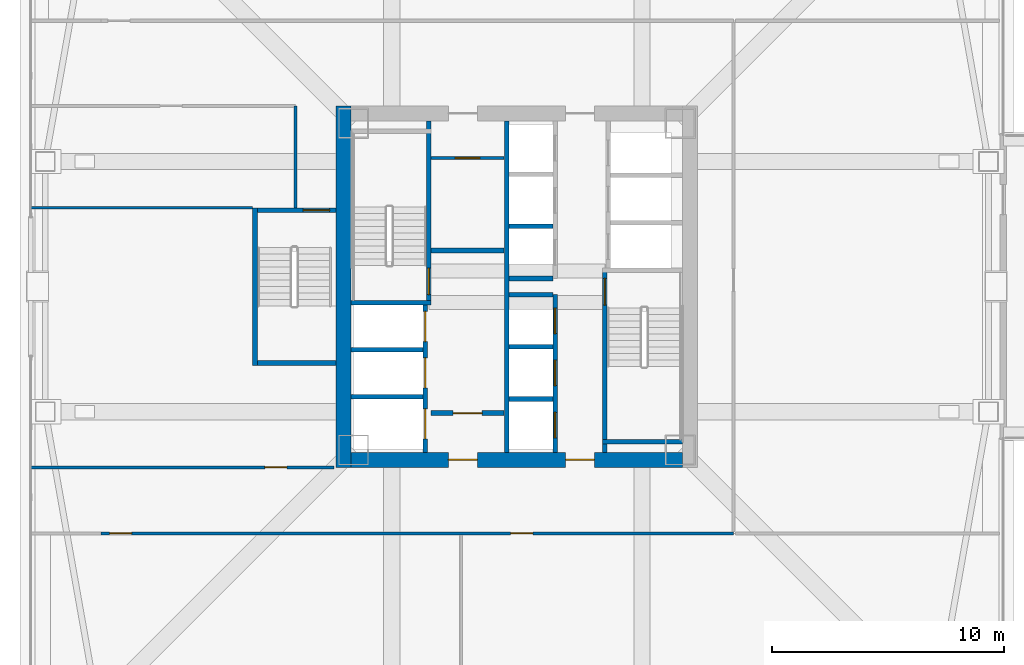
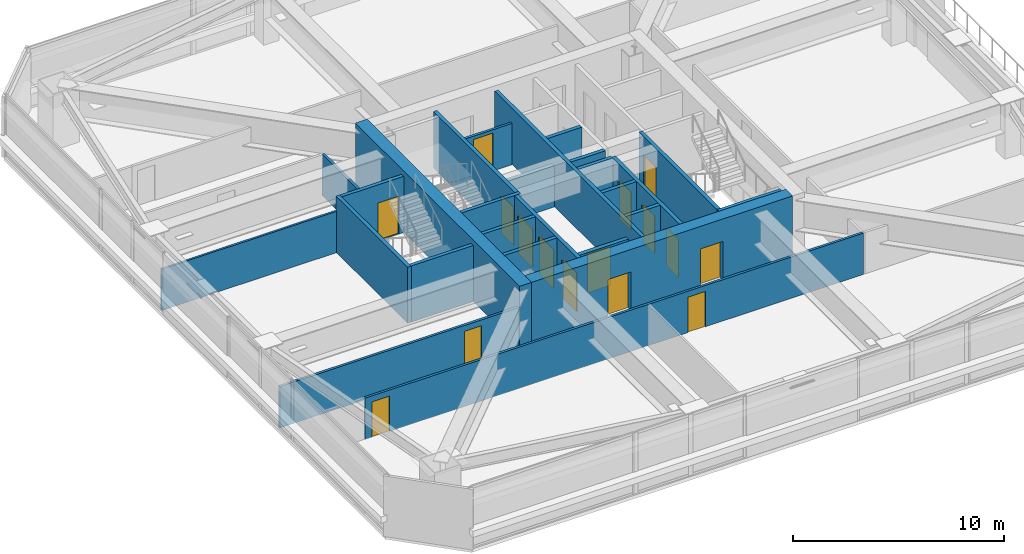
# One storey, part 38 of 49: 26 walls, 16 doors, 16 openings.
"""IFC4 building model written with IfcOpenShell, lengths in metres."""

from ifc_helpers import new_model, si_unit, direction, frame, frame_2d, origin, place, context, subcontext, project, spatial, rectangle, extrude, material, layer, layer_set, type_object, element, fill, save


model = new_model("IFC4")

# Units and contexts
model_context = context("Model", 3, precision=1e-05, world=origin(), true_north=direction((0.0, 1.0)))
body_context = subcontext(model_context, "Body", "Model", "MODEL_VIEW")
ifc_project = project(units=[si_unit("LENGTHUNIT", "METRE"), si_unit("AREAUNIT", "SQUARE_METRE"), si_unit("VOLUMEUNIT", "CUBIC_METRE"), si_unit("PLANEANGLEUNIT", "RADIAN"), si_unit("MASSUNIT", "GRAM", prefix="KILO")], contexts=[model_context])

# Site, building, storey
site_placement = place(None, origin())
site = spatial("IfcSite", under=ifc_project, at=site_placement, CompositionType="ELEMENT")
building_placement = place(site_placement, origin())
building = spatial("IfcBuilding", under=site, at=building_placement, Name="Tashvorn Skyway Center", CompositionType="ELEMENT")
storey_placement = place(building_placement, frame((0.0, 0.0, 106.25)))
storey = spatial("IfcBuildingStorey", under=building, at=storey_placement, Name="L28", CompositionType="ELEMENT", Elevation=106.25)

# Wall
ifc_material_1 = material(Name="Concrete C60/75", Category="concrete")
ifc_layer_1 = layer(ifc_material_1, 0.64990234375)
ifc_layer_set_1 = layer_set([ifc_layer_1], Name="Concrete C60/75")
wall_type_1 = type_object("IfcWallType", Name="WALL-CORE-650", PredefinedType="SHEAR", material=ifc_layer_set_1)
wall_1_placement = place(storey_placement, frame((34.52490234375, 24.199951171875, 0.0), z_axis=(0.0, 0.0, 1.0), x_axis=(0.0, 1.0, 0.0)))
element("IfcWall", 1, at=wall_1_placement, inside=storey, type_object=wall_type_1, Name="Tower 1 L28 West Core Shear Wall", PredefinedType="SHEAR", context=body_context, shape_type="SweptSolid", body=[
    extrude(rectangle(XDim=15.60009765625, YDim=0.64990234375, at=frame_2d((7.800048828125, 0.0))), origin(), (0.0, 0.0, 1.0), 3.550048828125),
])

# Wall, openings, doors
wall_2_placement = place(storey_placement, frame((49.14990234375, 24.52490234375, 0.0), z_axis=(0.0, 0.0, 1.0), x_axis=(-1.0, 0.0, 0.0)))
wall_2 = element("IfcWall", 2, at=wall_2_placement, inside=storey, type_object=wall_type_1, Name="Tower 1 L28 South Core Shear Wall", PredefinedType="SHEAR", context=body_context, shape_type="SweptSolid", body=[
    extrude(rectangle(XDim=14.2998046875, YDim=0.64990234375, at=frame_2d((7.14990234375, 0.0))), origin(), (0.0, 0.0, 1.0), 3.550048828125),
])
opening_1_placement = place(wall_2_placement, frame((8.85009765625, 0.0, 0.0)))
opening_1 = element("IfcOpeningElement", 3, at=opening_1_placement, cuts=wall_2, Name="Opening D-FFL-1250", PredefinedType="OPENING", context=body_context, shape_type="SweptSolid", body=[
    extrude(rectangle(XDim=1.25, YDim=2.25, at=frame_2d((0.625, 1.125))), frame((0.0, 0.3349609375, 0.0), z_axis=(0.0, -1.0, 0.0), x_axis=(1.0, 0.0, 0.0)), (0.0, 0.0, 1.0), 0.669921875),
])
opening_2_placement = place(wall_2_placement, frame((3.800048828125, 0.0, 0.0)))
opening_2 = element("IfcOpeningElement", 4, at=opening_2_placement, cuts=wall_2, Name="Opening D-FFL-1250", PredefinedType="OPENING", context=body_context, shape_type="SweptSolid", body=[
    extrude(rectangle(XDim=1.25, YDim=2.25, at=frame_2d((0.625, 1.125))), frame((0.0, 0.3349609375, 0.0), z_axis=(0.0, -1.0, 0.0), x_axis=(1.0, 0.0, 0.0)), (0.0, 0.0, 1.0), 0.669921875),
])
ifc_material_2 = material(Name="Hollow galvanized steel fire door assembly", Category="steel")
door_type_1 = type_object("IfcDoorType", Name="DOOR-FFL-1250", OperationType="NOTDEFINED", PredefinedType="DOOR", material=ifc_material_2)
door_1_placement = place(opening_1_placement, origin())
door_1 = element("IfcDoor", 5, at=door_1_placement, inside=storey, type_object=door_type_1, Name="Tower 1 L28 Core South Firefighting Exit Door", OperationType="SINGLE_SWING_LEFT", OverallHeight=2.25, OverallWidth=1.25, PredefinedType="DOOR", context=body_context, shape_type="SweptSolid", body=[
    extrude(rectangle(XDim=1.25, YDim=2.25, at=frame_2d((0.625, 1.125))), frame((0.0, 0.02490234375, 0.0), z_axis=(0.0, -1.0, 0.0), x_axis=(1.0, 0.0, 0.0)), (0.0, 0.0, 1.0), 0.050048828125),
])
fill(opening_1, door_1)
door_2_placement = place(opening_2_placement, origin())
door_2 = element("IfcDoor", 6, at=door_2_placement, inside=storey, type_object=door_type_1, Name="Tower 1 L28 Core South Lift Lobby Door", OperationType="SINGLE_SWING_RIGHT", OverallHeight=2.25, OverallWidth=1.25, PredefinedType="DOOR", context=body_context, shape_type="SweptSolid", body=[
    extrude(rectangle(XDim=1.25, YDim=2.25, at=frame_2d((0.625, 1.125))), frame((0.0, 0.02490234375, 0.0), z_axis=(0.0, -1.0, 0.0), x_axis=(1.0, 0.0, 0.0)), (0.0, 0.0, 1.0), 0.050048828125),
])
fill(opening_2, door_2)

# Wall
ifc_material_3 = material(Name="Concrete C40/50", Category="concrete")
ifc_layer_2 = layer(ifc_material_3, 0.219970703125)
ifc_layer_set_2 = layer_set([ifc_layer_2], Name="Concrete C40/50")
wall_type_2 = type_object("IfcWallType", Name="WALL-FFL-220", PredefinedType="SOLIDWALL", material=ifc_layer_set_2)
wall_3_placement = place(storey_placement, frame((38.300048828125, 33.56005859375, 0.0), z_axis=(0.0, 0.0, 1.0), x_axis=(1.0, 0.0, 0.0)))
element("IfcWall", 7, at=wall_3_placement, inside=storey, type_object=wall_type_2, Name="Tower 1 L28 Firefighting Lobby North Wall", PredefinedType="SOLIDWALL", context=body_context, shape_type="SweptSolid", body=[
    extrude(rectangle(XDim=3.14990234375, YDim=0.219970703125, at=frame_2d((1.574951171875, 0.0))), origin(), (0.0, 0.0, 1.0), 2.39306640625),
])

# Wall, opening, door
wall_4_placement = place(storey_placement, frame((38.300048828125, 26.5400390625, 0.0), z_axis=(0.0, 0.0, 1.0), x_axis=(1.0, 0.0, 0.0)))
wall_4 = element("IfcWall", 8, at=wall_4_placement, inside=storey, type_object=wall_type_2, Name="Tower 1 L28 Firefighting Lobby South Wall", PredefinedType="SOLIDWALL", context=body_context, shape_type="SweptSolid", body=[
    extrude(rectangle(XDim=3.14990234375, YDim=0.219970703125, at=frame_2d((1.574951171875, 0.0))), origin(), (0.0, 0.0, 1.0), 2.39306640625),
])
opening_3_placement = place(wall_4_placement, frame((0.949951171875, 0.0, 0.0)))
opening_3 = element("IfcOpeningElement", 9, at=opening_3_placement, cuts=wall_4, Name="Opening D-FFL-1250", PredefinedType="OPENING", context=body_context, shape_type="SweptSolid", body=[
    extrude(rectangle(XDim=1.25, YDim=2.25, at=frame_2d((0.625, 1.125))), frame((0.0, 0.119873046875, 0.0), z_axis=(0.0, -1.0, 0.0), x_axis=(1.0, 0.0, 0.0)), (0.0, 0.0, 1.0), 0.239990234375),
])
door_3_placement = place(opening_3_placement, origin())
door_3 = element("IfcDoor", 10, at=door_3_placement, inside=storey, type_object=door_type_1, Name="Tower 1 L28 Firefighting Lobby Egress Door", OperationType="SINGLE_SWING_LEFT", OverallHeight=2.25, OverallWidth=1.25, PredefinedType="DOOR", context=body_context, shape_type="SweptSolid", body=[
    extrude(rectangle(XDim=1.25, YDim=2.25, at=frame_2d((0.625, 1.125))), frame((0.0, 0.02490234375, 0.0), z_axis=(0.0, -1.0, 0.0), x_axis=(1.0, 0.0, 0.0)), (0.0, 0.0, 1.0), 0.050048828125),
])
fill(opening_3, door_3)

# Walls
ifc_material_4 = material(Name="Gypsum board on cold-formed steel stud framing", Category="steel")
ifc_layer_3 = layer(ifc_material_4, 0.110107421875)
ifc_layer_set_3 = layer_set([ifc_layer_3], Name="Gypsum board on cold-formed steel stud framing")
wall_type_3 = type_object("IfcWallType", Name="WALL-PART-110", PredefinedType="PARTITIONING", material=ifc_layer_set_3)
wall_5_placement = place(storey_placement, frame((30.60009765625, 35.39990234375, 0.0), z_axis=(0.0, 0.0, 1.0), x_axis=(-1.0, 0.0, 0.0)))
element("IfcWall", 11, at=wall_5_placement, inside=storey, type_object=wall_type_3, Name="Tower 1 L28 West Suite Partition 1", PredefinedType="PARTITIONING", context=body_context, shape_type="SweptSolid", body=[
    extrude(rectangle(XDim=9.580078125, YDim=0.110107421875, at=frame_2d((4.7900390625, 0.0))), origin(), (0.0, 0.0, 1.0), 2.39306640625),
])
ifc_layer_4 = layer(ifc_material_4, 0.135009765625)
ifc_layer_set_4 = layer_set([ifc_layer_4], Name="Gypsum board on cold-formed steel stud framing")
wall_type_4 = type_object("IfcWallType", Name="WALL-PART-135", PredefinedType="PARTITIONING", material=ifc_layer_set_4)
wall_6_placement = place(storey_placement, frame((32.449951171875, 35.39990234375, 0.0), z_axis=(0.0, 0.0, 1.0), x_axis=(0.0, 1.0, 0.0)))
element("IfcWall", 12, at=wall_6_placement, inside=storey, type_object=wall_type_4, Name="Tower 1 L28 Stair 3 Access Corridor Wall", PredefinedType="PARTITIONING", context=body_context, shape_type="SweptSolid", body=[
    extrude(rectangle(XDim=4.400146484375, YDim=0.135009765625, at=frame_2d((2.2001953125, 0.0))), origin(), (0.0, 0.0, 1.0), 2.39306640625),
])

# Wall, openings, doors
wall_7_placement = place(storey_placement, frame((51.35009765625, 21.35009765625, 0.0), z_axis=(0.0, 0.0, 1.0), x_axis=(-1.0, 0.0, 0.0)))
wall_7 = element("IfcWall", 13, at=wall_7_placement, inside=storey, type_object=wall_type_4, Name="Tower 1 L28 South Suite Wall", PredefinedType="PARTITIONING", context=body_context, shape_type="SweptSolid", body=[
    extrude(rectangle(XDim=27.300048828125, YDim=0.135009765625, at=frame_2d((13.64990234375, 0.0))), origin(), (0.0, 0.0, 1.0), 2.39306640625),
])
opening_4_placement = place(wall_7_placement, frame((25.969970703125, 0.0, 0.0)))
opening_4 = element("IfcOpeningElement", 14, at=opening_4_placement, cuts=wall_7, Name="Opening D-INT-950", PredefinedType="OPENING", context=body_context, shape_type="SweptSolid", body=[
    extrude(rectangle(XDim=0.949951171875, YDim=2.050048828125, at=frame_2d((0.47509765625, 1.02490234375))), frame((0.0, 0.077392578125, 0.0), z_axis=(0.0, -1.0, 0.0), x_axis=(1.0, 0.0, 0.0)), (0.0, 0.0, 1.0), 0.155029296875),
])
opening_5_placement = place(wall_7_placement, frame((8.6630859375, 0.0, 0.0)))
opening_5 = element("IfcOpeningElement", 15, at=opening_5_placement, cuts=wall_7, Name="Opening D-INT-950", PredefinedType="OPENING", context=body_context, shape_type="SweptSolid", body=[
    extrude(rectangle(XDim=0.949951171875, YDim=2.050048828125, at=frame_2d((0.47509765625, 1.02490234375))), frame((0.0, 0.077392578125, 0.0), z_axis=(0.0, -1.0, 0.0), x_axis=(1.0, 0.0, 0.0)), (0.0, 0.0, 1.0), 0.155029296875),
])
ifc_material_5 = material(Name="Solid-core architectural oak veneer door")
door_type_2 = type_object("IfcDoorType", Name="DOOR-INT-950", OperationType="NOTDEFINED", PredefinedType="DOOR", material=ifc_material_5)
door_4_placement = place(opening_4_placement, origin())
door_4 = element("IfcDoor", 16, at=door_4_placement, inside=storey, type_object=door_type_2, Name="Tower 1 L28 Operations Control Room Door", OperationType="SINGLE_SWING_RIGHT", OverallHeight=2.050048828125, OverallWidth=0.949951171875, PredefinedType="DOOR", context=body_context, shape_type="SweptSolid", body=[
    extrude(rectangle(XDim=0.949951171875, YDim=2.050048828125, at=frame_2d((0.47509765625, 1.02490234375))), frame((0.0, 0.02490234375, 0.0), z_axis=(0.0, -1.0, 0.0), x_axis=(1.0, 0.0, 0.0)), (0.0, 0.0, 1.0), 0.050048828125),
])
fill(opening_4, door_4)
door_5_placement = place(opening_5_placement, origin())
door_5 = element("IfcDoor", 17, at=door_5_placement, inside=storey, type_object=door_type_2, Name="Tower 1 L28 Catering Pantry Door", OperationType="SINGLE_SWING_LEFT", OverallHeight=2.050048828125, OverallWidth=0.949951171875, PredefinedType="DOOR", context=body_context, shape_type="SweptSolid", body=[
    extrude(rectangle(XDim=0.949951171875, YDim=2.050048828125, at=frame_2d((0.47509765625, 1.02490234375))), frame((0.0, 0.02490234375, 0.0), z_axis=(0.0, -1.0, 0.0), x_axis=(1.0, 0.0, 0.0)), (0.0, 0.0, 1.0), 0.050048828125),
])
fill(opening_5, door_5)

# Wall, opening, door
wall_8_placement = place(storey_placement, frame((21.02001953125, 24.199951171875, 0.0), z_axis=(0.0, 0.0, 1.0), x_axis=(1.0, 0.0, 0.0)))
wall_8 = element("IfcWall", 18, at=wall_8_placement, inside=storey, type_object=wall_type_4, Name="Tower 1 L28 West Suite South Wall", PredefinedType="PARTITIONING", context=body_context, shape_type="SweptSolid", body=[
    extrude(rectangle(XDim=13.10009765625, YDim=0.135009765625, at=frame_2d((6.550048828125, 0.0))), origin(), (0.0, 0.0, 1.0), 2.39306640625),
])
opening_6_placement = place(wall_8_placement, frame((10.10498046875, 0.0, 0.0)))
opening_6 = element("IfcOpeningElement", 19, at=opening_6_placement, cuts=wall_8, Name="Opening D-INT-950", PredefinedType="OPENING", context=body_context, shape_type="SweptSolid", body=[
    extrude(rectangle(XDim=0.949951171875, YDim=2.050048828125, at=frame_2d((0.47509765625, 1.02490234375))), frame((0.0, 0.077392578125, 0.0), z_axis=(0.0, -1.0, 0.0), x_axis=(1.0, 0.0, 0.0)), (0.0, 0.0, 1.0), 0.155029296875),
])
door_6_placement = place(opening_6_placement, origin())
door_6 = element("IfcDoor", 20, at=door_6_placement, inside=storey, type_object=door_type_2, Name="Tower 1 L28 Public Restroom Door", OperationType="SINGLE_SWING_RIGHT", OverallHeight=2.050048828125, OverallWidth=0.949951171875, PredefinedType="DOOR", context=body_context, shape_type="SweptSolid", body=[
    extrude(rectangle(XDim=0.949951171875, YDim=2.050048828125, at=frame_2d((0.47509765625, 1.02490234375))), frame((0.0, 0.02490234375, 0.0), z_axis=(0.0, -1.0, 0.0), x_axis=(1.0, 0.0, 0.0)), (0.0, 0.0, 1.0), 0.050048828125),
])
fill(opening_6, door_6)

ifc_layer_5 = layer(ifc_material_4, 0.135009765625)
ifc_layer_set_5 = layer_set([ifc_layer_5], Name="Gypsum board on cold-formed steel stud framing")
wall_type_5 = type_object("IfcWallType", Name="WALL-RATED-135", PredefinedType="PARTITIONING", material=ifc_layer_set_5)
wall_9_placement = place(storey_placement, frame((38.300048828125, 37.550048828125, 0.0), z_axis=(0.0, 0.0, 1.0), x_axis=(1.0, 0.0, 0.0)))
wall_9 = element("IfcWall", 21, at=wall_9_placement, inside=storey, type_object=wall_type_5, Name="Tower 1 L28 Core Service Lobby Wall", PredefinedType="PARTITIONING", context=body_context, shape_type="SweptSolid", body=[
    extrude(rectangle(XDim=3.14990234375, YDim=0.135009765625, at=frame_2d((1.574951171875, 0.0))), origin(), (0.0, 0.0, 1.0), 2.39306640625),
])
opening_7_placement = place(wall_9_placement, frame((1.050048828125, 0.0, 0.0)))
opening_7 = element("IfcOpeningElement", 22, at=opening_7_placement, cuts=wall_9, Name="Opening D-RT-1050", PredefinedType="OPENING", context=body_context, shape_type="SweptSolid", body=[
    extrude(rectangle(XDim=1.050048828125, YDim=2.199951171875, at=frame_2d((0.52490234375, 1.10009765625))), frame((0.0, 0.077392578125, 0.0), z_axis=(0.0, -1.0, 0.0), x_axis=(1.0, 0.0, 0.0)), (0.0, 0.0, 1.0), 0.155029296875),
])
door_type_3 = type_object("IfcDoorType", Name="DOOR-RATED-1050", OperationType="NOTDEFINED", PredefinedType="DOOR", material=ifc_material_2)
door_7_placement = place(opening_7_placement, origin())
door_7 = element("IfcDoor", 23, at=door_7_placement, inside=storey, type_object=door_type_3, Name="Tower 1 L28 Core Accessible WC Door", OperationType="SINGLE_SWING_LEFT", OverallHeight=2.199951171875, OverallWidth=1.050048828125, PredefinedType="DOOR", context=body_context, shape_type="SweptSolid", body=[
    extrude(rectangle(XDim=1.050048828125, YDim=2.199951171875, at=frame_2d((0.52490234375, 1.10009765625))), frame((0.0, 0.02490234375, 0.0), z_axis=(0.0, -1.0, 0.0), x_axis=(1.0, 0.0, 0.0)), (0.0, 0.0, 1.0), 0.050048828125),
])
fill(opening_7, door_7)

# Walls
ifc_layer_6 = layer(ifc_material_3, 0.199951171875)
ifc_layer_set_6 = layer_set([ifc_layer_6], Name="Concrete C40/50")
wall_type_6 = type_object("IfcWallType", Name="WALL-SHAFT-200", PredefinedType="SOLIDWALL", material=ifc_layer_set_6)
for number, where, z_axis, x_axis, name in (
    (24, (34.85009765625, 27.25, 0.0), (0.0, 0.0, 1.0), (1.0, 0.0, 0.0), "Tower 1 L28 FSAE Shaft Divider"),
    (25, (34.85009765625, 29.280029296875, 0.0), (0.0, 0.0, 1.0), (1.0, 0.0, 0.0), "Tower 1 L28 FSAE Shaft Divider"),
):
    element("IfcWall", number, at=place(storey_placement, frame(where, z_axis=z_axis, x_axis=x_axis)), inside=storey, type_object=wall_type_6, Name=name, PredefinedType="SOLIDWALL", context=body_context, shape_type="SweptSolid", body=[
        extrude(rectangle(XDim=3.099853515625, YDim=0.199951171875, at=frame_2d((1.5498046875, 0.0))), origin(), (0.0, 0.0, 1.0), 3.25),
    ])

# Wall, openings, doors
wall_10_placement = place(storey_placement, frame((43.64990234375, 24.85009765625, 0.0), z_axis=(0.0, 0.0, 1.0), x_axis=(0.0, 1.0, 0.0)))
wall_10 = element("IfcWall", 26, at=wall_10_placement, inside=storey, type_object=wall_type_6, Name="Tower 1 L28 Low-Rise Core Wall", PredefinedType="SOLIDWALL", context=body_context, shape_type="SweptSolid", body=[
    extrude(rectangle(XDim=6.7998046875, YDim=0.199951171875, at=frame_2d((3.39990234375, 0.0))), origin(), (0.0, 0.0, 1.0), 3.25),
])
opening_8_placement = place(wall_10_placement, frame((0.625, 0.0, 0.0)))
opening_8 = element("IfcOpeningElement", 27, at=opening_8_placement, cuts=wall_10, Name="Opening LD-LR-T1-1-L28", PredefinedType="OPENING", context=body_context, shape_type="SweptSolid", body=[
    extrude(rectangle(XDim=1.10009765625, YDim=2.199951171875, at=frame_2d((0.550048828125, 1.10009765625))), frame((0.0, 0.10986328125, 0.0), z_axis=(0.0, -1.0, 0.0), x_axis=(1.0, 0.0, 0.0)), (0.0, 0.0, 1.0), 0.219970703125),
])
opening_9_placement = place(wall_10_placement, frame((2.875, 0.0, 0.0)))
opening_9 = element("IfcOpeningElement", 28, at=opening_9_placement, cuts=wall_10, Name="Opening LD-LR-T1-2-L28", PredefinedType="OPENING", context=body_context, shape_type="SweptSolid", body=[
    extrude(rectangle(XDim=1.10009765625, YDim=2.199951171875, at=frame_2d((0.550048828125, 1.10009765625))), frame((0.0, 0.10986328125, 0.0), z_axis=(0.0, -1.0, 0.0), x_axis=(1.0, 0.0, 0.0)), (0.0, 0.0, 1.0), 0.219970703125),
])
opening_10_placement = place(wall_10_placement, frame((5.125, 0.0, 0.0)))
opening_10 = element("IfcOpeningElement", 29, at=opening_10_placement, cuts=wall_10, Name="Opening LD-LR-T1-3-L28", PredefinedType="OPENING", context=body_context, shape_type="SweptSolid", body=[
    extrude(rectangle(XDim=1.10009765625, YDim=2.199951171875, at=frame_2d((0.550048828125, 1.10009765625))), frame((0.0, 0.10986328125, 0.0), z_axis=(0.0, -1.0, 0.0), x_axis=(1.0, 0.0, 0.0)), (0.0, 0.0, 1.0), 0.219970703125),
])
ifc_material_6 = material(Name="Stainless steel landing door", Category="steel")
door_type_4 = type_object("IfcDoorType", Name="DOOR-LIFT-1100", OperationType="SLIDING_TO_LEFT", PredefinedType="DOOR", material=ifc_material_6)
door_8_placement = place(opening_8_placement, origin())
door_8 = element("IfcDoor", 30, at=door_8_placement, inside=storey, type_object=door_type_4, Name="Lift LR-T1-1 L28 Landing Door", OperationType="SLIDING_TO_LEFT", OverallHeight=2.199951171875, OverallWidth=1.10009765625, PredefinedType="DOOR", context=body_context, shape_type="SweptSolid", body=[
    extrude(rectangle(XDim=1.10009765625, YDim=2.199951171875, at=frame_2d((0.550048828125, 1.10009765625))), frame((0.0, 0.02490234375, 0.0), z_axis=(0.0, -1.0, 0.0), x_axis=(1.0, 0.0, 0.0)), (0.0, 0.0, 1.0), 0.050048828125),
])
fill(opening_8, door_8)
door_9_placement = place(opening_9_placement, origin())
door_9 = element("IfcDoor", 31, at=door_9_placement, inside=storey, type_object=door_type_4, Name="Lift LR-T1-2 L28 Landing Door", OperationType="SLIDING_TO_LEFT", OverallHeight=2.199951171875, OverallWidth=1.10009765625, PredefinedType="DOOR", context=body_context, shape_type="SweptSolid", body=[
    extrude(rectangle(XDim=1.10009765625, YDim=2.199951171875, at=frame_2d((0.550048828125, 1.10009765625))), frame((0.0, 0.02490234375, 0.0), z_axis=(0.0, -1.0, 0.0), x_axis=(1.0, 0.0, 0.0)), (0.0, 0.0, 1.0), 0.050048828125),
])
fill(opening_9, door_9)
door_10_placement = place(opening_10_placement, origin())
door_10 = element("IfcDoor", 32, at=door_10_placement, inside=storey, type_object=door_type_4, Name="Lift LR-T1-3 L28 Landing Door", OperationType="SLIDING_TO_LEFT", OverallHeight=2.199951171875, OverallWidth=1.10009765625, PredefinedType="DOOR", context=body_context, shape_type="SweptSolid", body=[
    extrude(rectangle(XDim=1.10009765625, YDim=2.199951171875, at=frame_2d((0.550048828125, 1.10009765625))), frame((0.0, 0.02490234375, 0.0), z_axis=(0.0, -1.0, 0.0), x_axis=(1.0, 0.0, 0.0)), (0.0, 0.0, 1.0), 0.050048828125),
])
fill(opening_10, door_10)

# Walls
for number, where, z_axis, x_axis, name in (
    (33, (41.669921875, 27.14990234375, 0.0), (0.0, 0.0, 1.0), (1.0, 0.0, 0.0), "Tower 1 L28 Low-Rise Shaft Divider"),
    (34, (41.669921875, 29.39990234375, 0.0), (0.0, 0.0, 1.0), (1.0, 0.0, 0.0), "Tower 1 L28 Low-Rise Shaft Divider"),
    (35, (41.669921875, 31.64990234375, 0.0), (0.0, 0.0, 1.0), (1.0, 0.0, 0.0), "Tower 1 L28 Low-Rise Shaft Divider"),
    (36, (41.669921875, 32.35009765625, 0.0), (0.0, 0.0, 1.0), (1.0, 0.0, 0.0), "Tower 1 L28 Mid-Rise Shaft Divider"),
    (37, (41.669921875, 34.60009765625, 0.0), (0.0, 0.0, 1.0), (1.0, 0.0, 0.0), "Tower 1 L28 Mid-Rise Shaft Divider"),
):
    element("IfcWall", number, at=place(storey_placement, frame(where, z_axis=z_axis, x_axis=x_axis)), inside=storey, type_object=wall_type_6, Name=name, PredefinedType="SOLIDWALL", context=body_context, shape_type="SweptSolid", body=[
        extrude(rectangle(XDim=1.880126953125, YDim=0.199951171875, at=frame_2d((0.93994140625, 0.0))), origin(), (0.0, 0.0, 1.0), 3.25),
    ])

# Wall, opening, door
ifc_layer_7 = layer(ifc_material_3, 0.199951171875)
ifc_layer_set_7 = layer_set([ifc_layer_7], Name="Concrete C40/50")
wall_type_7 = type_object("IfcWallType", Name="WALL-STSHF-200", PredefinedType="SHEAR", material=ifc_layer_set_7)
wall_11_placement = place(storey_placement, frame((38.199951171875, 31.199951171875, 0.0), z_axis=(0.0, 0.0, 1.0), x_axis=(0.0, 1.0, 0.0)))
wall_11 = element("IfcWall", 38, at=wall_11_placement, inside=storey, type_object=wall_type_7, Name="Tower 1 L28 Stair 1 Enclosure Wall", PredefinedType="SHEAR", context=body_context, shape_type="SweptSolid", body=[
    extrude(rectangle(XDim=7.949951171875, YDim=0.199951171875, at=frame_2d((3.97509765625, 0.0))), origin(), (0.0, 0.0, 1.0), 3.25),
])
opening_11_placement = place(wall_11_placement, frame((0.449951171875, 0.0, 0.0)))
opening_11 = element("IfcOpeningElement", 39, at=opening_11_placement, cuts=wall_11, Name="Opening D-ST-1150", PredefinedType="OPENING", context=body_context, shape_type="SweptSolid", body=[
    extrude(rectangle(XDim=1.14990234375, YDim=2.199951171875, at=frame_2d((0.574951171875, 1.10009765625))), frame((0.0, 0.10986328125, 0.0), z_axis=(0.0, -1.0, 0.0), x_axis=(1.0, 0.0, 0.0)), (0.0, 0.0, 1.0), 0.219970703125),
])
door_type_5 = type_object("IfcDoorType", Name="DOOR-STAIR-1150", OperationType="NOTDEFINED", PredefinedType="DOOR", material=ifc_material_2)
door_11_placement = place(opening_11_placement, origin())
door_11 = element("IfcDoor", 40, at=door_11_placement, inside=storey, type_object=door_type_5, Name="Tower 1 L28 Exit Stair 1 Door", OperationType="SINGLE_SWING_RIGHT", OverallHeight=2.199951171875, OverallWidth=1.14990234375, PredefinedType="DOOR", context=body_context, shape_type="SweptSolid", body=[
    extrude(rectangle(XDim=1.14990234375, YDim=2.199951171875, at=frame_2d((0.574951171875, 1.10009765625))), frame((0.0, 0.02490234375, 0.0), z_axis=(0.0, -1.0, 0.0), x_axis=(1.0, 0.0, 0.0)), (0.0, 0.0, 1.0), 0.050048828125),
])
fill(opening_11, door_11)

# Wall
wall_12_placement = place(storey_placement, frame((34.85009765625, 31.300048828125, 0.0), z_axis=(0.0, 0.0, 1.0), x_axis=(1.0, 0.0, 0.0)))
element("IfcWall", 41, at=wall_12_placement, inside=storey, type_object=wall_type_7, Name="Tower 1 L28 Stair 1 South Wall", PredefinedType="SHEAR", context=body_context, shape_type="SweptSolid", body=[
    extrude(rectangle(XDim=3.449951171875, YDim=0.199951171875, at=frame_2d((1.72509765625, 0.0))), origin(), (0.0, 0.0, 1.0), 3.25),
])

# Wall, opening, door
wall_13_placement = place(storey_placement, frame((45.800048828125, 32.800048828125, 0.0), z_axis=(0.0, 0.0, 1.0), x_axis=(0.0, -1.0, 0.0)))
wall_13 = element("IfcWall", 42, at=wall_13_placement, inside=storey, type_object=wall_type_7, Name="Tower 1 L28 Stair 2 Enclosure Wall", PredefinedType="SHEAR", context=body_context, shape_type="SweptSolid", body=[
    extrude(rectangle(XDim=7.949951171875, YDim=0.199951171875, at=frame_2d((3.97509765625, 0.0))), origin(), (0.0, 0.0, 1.0), 3.25),
])
opening_12_placement = place(wall_13_placement, frame((0.449951171875, 0.0, 0.0)))
opening_12 = element("IfcOpeningElement", 43, at=opening_12_placement, cuts=wall_13, Name="Opening D-ST-1150", PredefinedType="OPENING", context=body_context, shape_type="SweptSolid", body=[
    extrude(rectangle(XDim=1.14990234375, YDim=2.199951171875, at=frame_2d((0.574951171875, 1.10009765625))), frame((0.0, 0.10986328125, 0.0), z_axis=(0.0, -1.0, 0.0), x_axis=(1.0, 0.0, 0.0)), (0.0, 0.0, 1.0), 0.219970703125),
])
door_12_placement = place(opening_12_placement, origin())
door_12 = element("IfcDoor", 44, at=door_12_placement, inside=storey, type_object=door_type_5, Name="Tower 1 L28 Exit Stair 2 Door", OperationType="SINGLE_SWING_RIGHT", OverallHeight=2.199951171875, OverallWidth=1.14990234375, PredefinedType="DOOR", context=body_context, shape_type="SweptSolid", body=[
    extrude(rectangle(XDim=1.14990234375, YDim=2.199951171875, at=frame_2d((0.574951171875, 1.10009765625))), frame((0.0, 0.02490234375, 0.0), z_axis=(0.0, -1.0, 0.0), x_axis=(1.0, 0.0, 0.0)), (0.0, 0.0, 1.0), 0.050048828125),
])
fill(opening_12, door_12)

# Walls
wall_14_placement = place(storey_placement, frame((45.699951171875, 25.300048828125, 0.0), z_axis=(0.0, 0.0, 1.0), x_axis=(1.0, 0.0, 0.0)))
element("IfcWall", 45, at=wall_14_placement, inside=storey, type_object=wall_type_7, Name="Tower 1 L28 Stair 2 South Wall", PredefinedType="SHEAR", context=body_context, shape_type="SweptSolid", body=[
    extrude(rectangle(XDim=3.449951171875, YDim=0.199951171875, at=frame_2d((1.72509765625, 0.0))), origin(), (0.0, 0.0, 1.0), 3.25),
])
wall_15_placement = place(storey_placement, frame((41.56005859375, 24.85009765625, 0.0), z_axis=(0.0, 0.0, 1.0), x_axis=(0.0, 1.0, 0.0)))
element("IfcWall", 46, at=wall_15_placement, inside=storey, type_object=wall_type_7, Name="Tower 1 L28 Firefighting Lobby East Smoke Barrier", PredefinedType="SHEAR", context=body_context, shape_type="SweptSolid", body=[
    extrude(rectangle(XDim=14.2998046875, YDim=0.199951171875, at=frame_2d((7.14990234375, 0.0))), origin(), (0.0, 0.0, 1.0), 3.25),
])

# Wall, openings, doors
wall_16_placement = place(storey_placement, frame((38.050048828125, 24.85009765625, 0.0), z_axis=(0.0, 0.0, 1.0), x_axis=(0.0, 1.0, 0.0)))
wall_16 = element("IfcWall", 47, at=wall_16_placement, inside=storey, type_object=wall_type_7, Name="Tower 1 L28 FSAE and Goods Shaft Front Wall", PredefinedType="SHEAR", context=body_context, shape_type="SweptSolid", body=[
    extrude(rectangle(XDim=6.349853515625, YDim=0.199951171875, at=frame_2d((3.1748046875, 0.0))), origin(), (0.0, 0.0, 1.0), 3.25),
])
opening_13_placement = place(wall_16_placement, frame((4.77490234375, 0.0, 0.0)))
opening_13 = element("IfcOpeningElement", 48, at=opening_13_placement, cuts=wall_16, Name="Opening LD-FF-T1-1-L28", PredefinedType="OPENING", context=body_context, shape_type="SweptSolid", body=[
    extrude(rectangle(XDim=1.300048828125, YDim=2.25, at=frame_2d((0.64990234375, 1.125))), frame((0.0, 0.10986328125, 0.0), z_axis=(0.0, -1.0, 0.0), x_axis=(1.0, 0.0, 0.0)), (0.0, 0.0, 1.0), 0.219970703125),
])
opening_14_placement = place(wall_16_placement, frame((2.77490234375, 0.0, 0.0)))
opening_14 = element("IfcOpeningElement", 49, at=opening_14_placement, cuts=wall_16, Name="Opening LD-FF-T1-2-L28", PredefinedType="OPENING", context=body_context, shape_type="SweptSolid", body=[
    extrude(rectangle(XDim=1.300048828125, YDim=2.25, at=frame_2d((0.64990234375, 1.125))), frame((0.0, 0.10986328125, 0.0), z_axis=(0.0, -1.0, 0.0), x_axis=(1.0, 0.0, 0.0)), (0.0, 0.0, 1.0), 0.219970703125),
])
opening_15_placement = place(wall_16_placement, frame((0.574951171875, 0.0, 0.0)))
opening_15 = element("IfcOpeningElement", 50, at=opening_15_placement, cuts=wall_16, Name="Opening LD-GD-T1-1-L28", PredefinedType="OPENING", context=body_context, shape_type="SweptSolid", body=[
    extrude(rectangle(XDim=1.300048828125, YDim=2.25, at=frame_2d((0.64990234375, 1.125))), frame((0.0, 0.10986328125, 0.0), z_axis=(0.0, -1.0, 0.0), x_axis=(1.0, 0.0, 0.0)), (0.0, 0.0, 1.0), 0.219970703125),
])
ifc_material_7 = material(Name="Stainless steel heavy-duty landing door", Category="steel")
door_type_6 = type_object("IfcDoorType", Name="DOOR-LIFT-1300", OperationType="SLIDING_TO_LEFT", PredefinedType="DOOR", material=ifc_material_7)
door_13_placement = place(opening_13_placement, origin())
door_13 = element("IfcDoor", 51, at=door_13_placement, inside=storey, type_object=door_type_6, Name="Lift FF-T1-1 L28 Landing Door", OperationType="SLIDING_TO_LEFT", OverallHeight=2.25, OverallWidth=1.300048828125, PredefinedType="DOOR", context=body_context, shape_type="SweptSolid", body=[
    extrude(rectangle(XDim=1.300048828125, YDim=2.25, at=frame_2d((0.64990234375, 1.125))), frame((0.0, 0.02490234375, 0.0), z_axis=(0.0, -1.0, 0.0), x_axis=(1.0, 0.0, 0.0)), (0.0, 0.0, 1.0), 0.050048828125),
])
fill(opening_13, door_13)
door_14_placement = place(opening_14_placement, origin())
door_14 = element("IfcDoor", 52, at=door_14_placement, inside=storey, type_object=door_type_6, Name="Lift FF-T1-2 L28 Landing Door", OperationType="SLIDING_TO_LEFT", OverallHeight=2.25, OverallWidth=1.300048828125, PredefinedType="DOOR", context=body_context, shape_type="SweptSolid", body=[
    extrude(rectangle(XDim=1.300048828125, YDim=2.25, at=frame_2d((0.64990234375, 1.125))), frame((0.0, 0.02490234375, 0.0), z_axis=(0.0, -1.0, 0.0), x_axis=(1.0, 0.0, 0.0)), (0.0, 0.0, 1.0), 0.050048828125),
])
fill(opening_14, door_14)
door_15_placement = place(opening_15_placement, origin())
door_15 = element("IfcDoor", 53, at=door_15_placement, inside=storey, type_object=door_type_6, Name="Lift GD-T1-1 L28 Landing Door", OperationType="SLIDING_TO_LEFT", OverallHeight=2.25, OverallWidth=1.300048828125, PredefinedType="DOOR", context=body_context, shape_type="SweptSolid", body=[
    extrude(rectangle(XDim=1.300048828125, YDim=2.25, at=frame_2d((0.64990234375, 1.125))), frame((0.0, 0.02490234375, 0.0), z_axis=(0.0, -1.0, 0.0), x_axis=(1.0, 0.0, 0.0)), (0.0, 0.0, 1.0), 0.050048828125),
])
fill(opening_15, door_15)

# Wall
wall_17_placement = place(storey_placement, frame((30.699951171875, 28.60009765625, 0.0), z_axis=(0.0, 0.0, 1.0), x_axis=(0.0, 1.0, 0.0)))
element("IfcWall", 54, at=wall_17_placement, inside=storey, type_object=wall_type_7, Name="Tower 1 L28 Stair 3 Outer Wall", PredefinedType="SHEAR", context=body_context, shape_type="SweptSolid", body=[
    extrude(rectangle(XDim=6.7998046875, YDim=0.199951171875, at=frame_2d((3.39990234375, 0.0))), origin(), (0.0, 0.0, 1.0), 3.25),
])

# Wall, opening, door
wall_18_placement = place(storey_placement, frame((34.199951171875, 35.300048828125, 0.0), z_axis=(0.0, 0.0, 1.0), x_axis=(-1.0, 0.0, 0.0)))
wall_18 = element("IfcWall", 55, at=wall_18_placement, inside=storey, type_object=wall_type_7, Name="Tower 1 L28 Stair 3 Enclosure Wall", PredefinedType="SHEAR", context=body_context, shape_type="SweptSolid", body=[
    extrude(rectangle(XDim=3.39990234375, YDim=0.199951171875, at=frame_2d((1.699951171875, 0.0))), origin(), (0.0, 0.0, 1.0), 3.25),
])
opening_16_placement = place(wall_18_placement, frame((0.27490234375, 0.0, 0.0)))
opening_16 = element("IfcOpeningElement", 56, at=opening_16_placement, cuts=wall_18, Name="Opening D-ST-1150", PredefinedType="OPENING", context=body_context, shape_type="SweptSolid", body=[
    extrude(rectangle(XDim=1.14990234375, YDim=2.199951171875, at=frame_2d((0.574951171875, 1.10009765625))), frame((0.0, 0.10986328125, 0.0), z_axis=(0.0, -1.0, 0.0), x_axis=(1.0, 0.0, 0.0)), (0.0, 0.0, 1.0), 0.219970703125),
])
door_16_placement = place(opening_16_placement, origin())
door_16 = element("IfcDoor", 57, at=door_16_placement, inside=storey, type_object=door_type_5, Name="Tower 1 L28 Exit Stair 3 Door", OperationType="SINGLE_SWING_RIGHT", OverallHeight=2.199951171875, OverallWidth=1.14990234375, PredefinedType="DOOR", context=body_context, shape_type="SweptSolid", body=[
    extrude(rectangle(XDim=1.14990234375, YDim=2.199951171875, at=frame_2d((0.574951171875, 1.10009765625))), frame((0.0, 0.02490234375, 0.0), z_axis=(0.0, -1.0, 0.0), x_axis=(1.0, 0.0, 0.0)), (0.0, 0.0, 1.0), 0.050048828125),
])
fill(opening_16, door_16)

# Wall
wall_19_placement = place(storey_placement, frame((30.800048828125, 28.699951171875, 0.0), z_axis=(0.0, 0.0, 1.0), x_axis=(1.0, 0.0, 0.0)))
element("IfcWall", 58, at=wall_19_placement, inside=storey, type_object=wall_type_7, Name="Tower 1 L28 Stair 3 South Wall", PredefinedType="SHEAR", context=body_context, shape_type="SweptSolid", body=[
    extrude(rectangle(XDim=3.39990234375, YDim=0.199951171875, at=frame_2d((1.699951171875, 0.0))), origin(), (0.0, 0.0, 1.0), 3.25),
])

save(model, "model.ifc")
